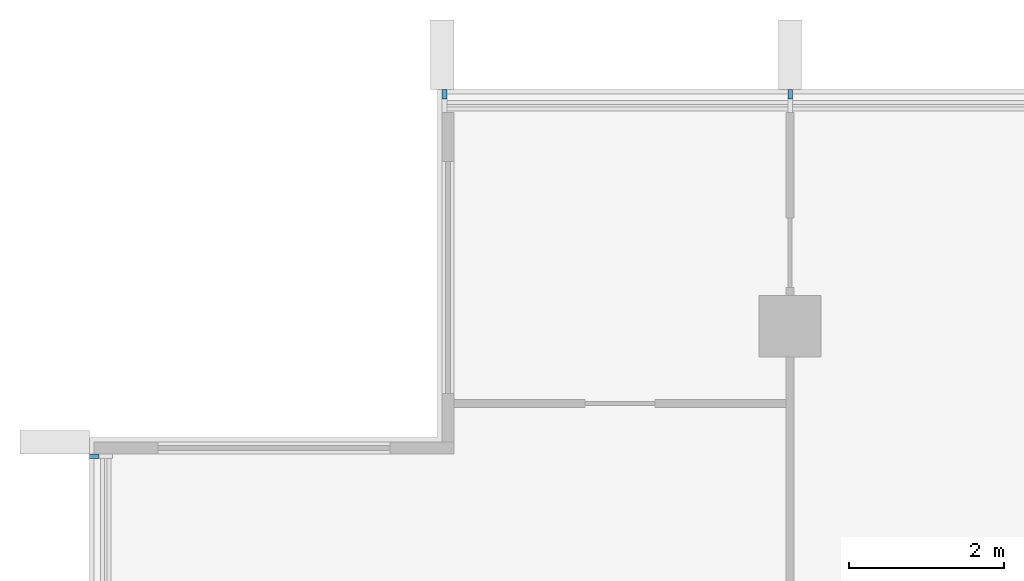
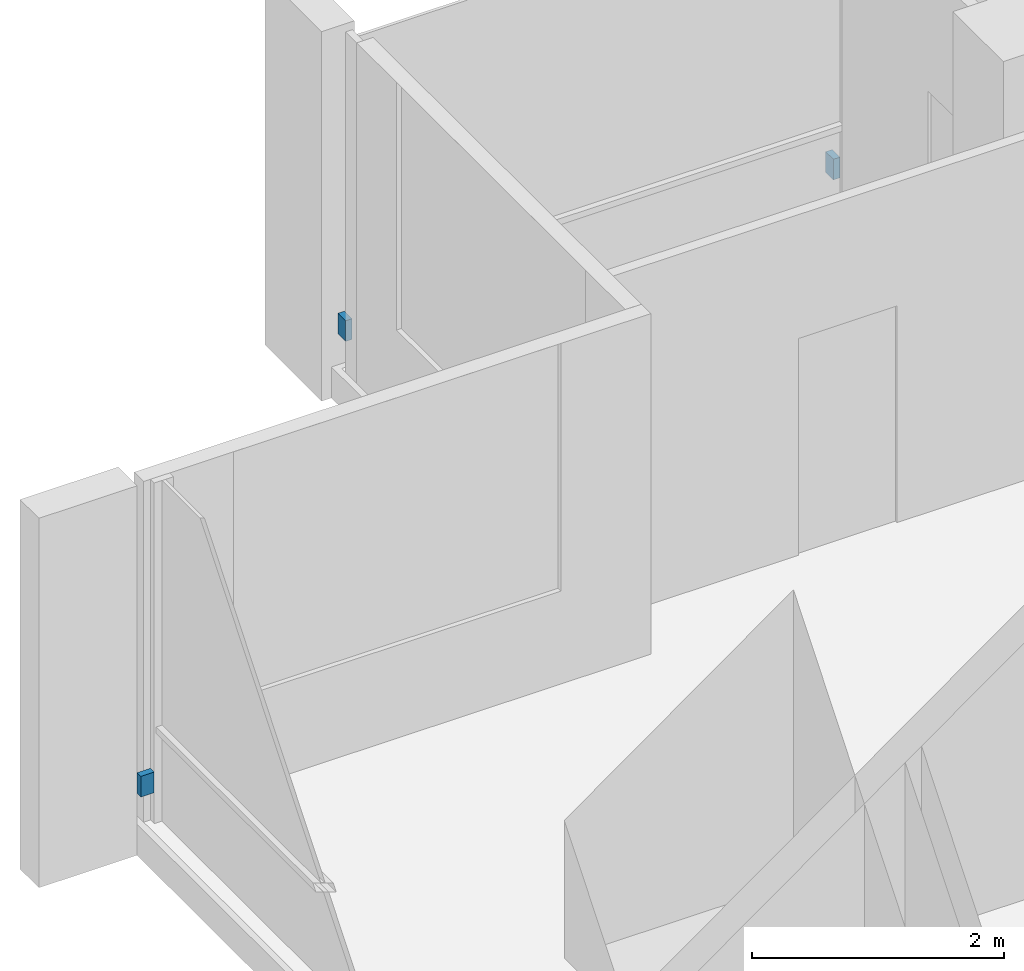
# One storey, part 14 of 16: 3 discrete accessories.
"""IFC4 building model written with IfcOpenShell, lengths in metres."""

import ifcopenshell
import ifcopenshell.guid

model = None  # the IFC model being written
_history = None  # IfcOwnerHistory: only IFC2X3 demands one
_inside = {}  # id of a spatial element -> (the spatial element, [elements in it])
_under = {}  # id of a project, library or spatial element -> (it, [spatial elements below it])
_declared = {}  # id of a project -> (the project, [libraries it declares])
_typed = {}  # id of a type object -> (the type object, [elements of that type])
_made_of = {}  # id of a material, layer set ... -> (it, [elements and type objects made of it])


def new_model(schema):
    """Start an empty IFC model of exactly this schema.

    Asked for "IFC4X3", IfcOpenShell would pick the latest addendum, in which some entities
    have other attributes; the version numbers below select the first issue.
    IFC2X3 requires an IfcOwnerHistory on every rooted entity: one is made here for all.
    """
    global model, _history
    if schema == "IFC4X3":
        model = ifcopenshell.file(schema_version=(4, 3, 0, 0))
    else:
        model = ifcopenshell.file(schema=schema)
    _inside.clear()
    _under.clear()
    _declared.clear()
    _typed.clear()
    _made_of.clear()
    _history = None
    if model.schema == "IFC2X3":
        org = make("IfcOrganization", Name="unknown")
        user = make(
            "IfcPersonAndOrganization",
            ThePerson=make("IfcPerson", FamilyName="unknown"),
            TheOrganization=org,
        )
        app = make(
            "IfcApplication",
            ApplicationDeveloper=org,
            Version="unknown",
            ApplicationFullName="unknown",
            ApplicationIdentifier="unknown",
        )
        _history = make(
            "IfcOwnerHistory",
            OwningUser=user,
            OwningApplication=app,
            ChangeAction="ADDED",
            CreationDate=0,
        )
    return model


def make(cls, **values):
    """One entity of the class cls with the attributes given. An attribute that is None is left unset."""
    return model.create_entity(
        cls, **{name: value for name, value in values.items() if value is not None}
    )


def rooted(cls, **values):
    """An entity with a GlobalId (a new one), such as an element, a storey or a relation."""
    return make(cls, GlobalId=ifcopenshell.guid.new(), OwnerHistory=_history, **values)


def si_unit(unit_type, name, prefix=None):
    """IfcSIUnit, for example si_unit("LENGTHUNIT", "METRE", prefix="MILLI")."""
    return make("IfcSIUnit", UnitType=unit_type, Prefix=prefix, Name=name)


def assignment(units):
    """IfcUnitAssignment: the units of a project."""
    return None if units is None else make("IfcUnitAssignment", Units=units)


def point(xyz):
    """IfcCartesianPoint."""
    return None if xyz is None else make("IfcCartesianPoint", Coordinates=xyz)


def direction(xyz):
    """IfcDirection."""
    return None if xyz is None else make("IfcDirection", DirectionRatios=xyz)


def frame(location, z_axis=None, x_axis=None):
    """IfcAxis2Placement3D, a coordinate frame: its origin and axes. An axis left out is left unset."""
    return make(
        "IfcAxis2Placement3D",
        Location=point(location),
        Axis=direction(z_axis),
        RefDirection=direction(x_axis),
    )


def frame_2d(location, x_axis=None):
    """IfcAxis2Placement2D, a coordinate frame in the plane: its origin and x axis."""
    return make(
        "IfcAxis2Placement2D", Location=point(location), RefDirection=direction(x_axis)
    )


def origin():
    """The frame at (0, 0, 0) with its axes left unset."""
    return frame((0.0, 0.0, 0.0))


def origin_2d():
    """The frame at (0, 0) in the plane with its x axis left unset."""
    return frame_2d((0.0, 0.0))


def place(relative_to, where):
    """IfcLocalPlacement: puts the frame where relative to a parent placement (None: the world)."""
    return make(
        "IfcLocalPlacement", PlacementRelTo=relative_to, RelativePlacement=where
    )


def context(
    kind, dimensions, precision=None, world=None, true_north=None, identifier=None
):
    """IfcGeometricRepresentationContext, for example the 3D "Model" context."""
    return make(
        "IfcGeometricRepresentationContext",
        ContextIdentifier=identifier,
        ContextType=kind,
        CoordinateSpaceDimension=dimensions,
        Precision=precision,
        WorldCoordinateSystem=world,
        TrueNorth=true_north,
    )


def subcontext(parent, identifier, kind, view, scale=None):
    """IfcGeometricRepresentationSubContext, for example "Body" below "Model"."""
    return make(
        "IfcGeometricRepresentationSubContext",
        ContextIdentifier=identifier,
        ContextType=kind,
        ParentContext=parent,
        TargetScale=scale,
        TargetView=view,
    )


def project(units=None, contexts=None):
    """IfcProject with its units and contexts."""
    return rooted(
        "IfcProject",
        Name="project",
        RepresentationContexts=contexts,
        UnitsInContext=assignment(units),
    )


def spatial(cls, under=None, at=None, **own):
    """A site, building, storey or space (cls), placed at a placement, below another one or the project."""
    s = rooted(cls, ObjectPlacement=at, **own)
    if under is not None:
        _under.setdefault(under.id(), (under, []))[1].append(s)
    return s


def profile(cls, at=None, kind="AREA", **sizes):
    """A parametric profile (cls). Its sizes go by their IFC names, for example OverallWidth=200.0."""
    return make(cls, ProfileType=kind, Position=at, **sizes)


def rectangle(**sizes):
    """IfcRectangleProfileDef."""
    return profile("IfcRectangleProfileDef", **sizes)


def extrude(swept, where, along, depth):
    """IfcExtrudedAreaSolid: the profile swept, set in the frame where, extruded along a direction by depth."""
    return make(
        "IfcExtrudedAreaSolid",
        SweptArea=swept,
        Position=where,
        ExtrudedDirection=direction(along),
        Depth=depth,
    )


def shape(context_of_items, identifier, shape_type, items):
    """IfcShapeRepresentation: the items that make up one representation, for example the "Body"."""
    return make(
        "IfcShapeRepresentation",
        ContextOfItems=context_of_items,
        RepresentationIdentifier=identifier,
        RepresentationType=shape_type,
        Items=items,
    )


def material(Name=None, Category=None):
    """IfcMaterial."""
    return make("IfcMaterial", Name=Name, Category=Category)


def made_of(thing, what):
    """Note that an element or type object is made of a material, layer set ...; save() writes the relation."""
    if what is not None:
        _made_of.setdefault(what.id(), (what, []))[1].append(thing)
    return thing


def type_object(cls, material=None, **own):
    """A type object (cls), such as IfcWallType, which elements share."""
    return made_of(rooted(cls, **own), material)


def element(
    cls,
    number,
    at=None,
    inside=None,
    cuts=None,
    type_object=None,
    material=None,
    context=None,
    identifier="Body",
    shape_type=None,
    held_by="IfcProductDefinitionShape",
    body=None,
    shapes=None,
    **own,
):
    """One element of the class cls, such as IfcWall. Its Tag is "e" and its number.

    at: its placement. inside: the storey or other place that contains it. cuts: it is an
    opening in that element (IfcRelVoidsElement). A single representation is given by context,
    identifier, shape_type and body (its items); several are given by shapes. held_by: the class
    of the entity that holds the representations. save() writes the other relations.
    """
    e = rooted(cls, Tag="e%d" % number, ObjectPlacement=at, **own)
    if body is not None:
        shapes = [shape(context, identifier, shape_type, body)]
    if shapes is not None:
        e.Representation = make(held_by, Representations=shapes)
    if inside is not None:
        _inside.setdefault(inside.id(), (inside, []))[1].append(e)
    if cuts is not None:
        rooted(
            "IfcRelVoidsElement", RelatingBuildingElement=cuts, RelatedOpeningElement=e
        )
    if type_object is not None:
        _typed.setdefault(type_object.id(), (type_object, []))[1].append(e)
    return made_of(e, material)


def aggregate(whole, parts):
    """IfcRelAggregates: a whole, such as a stair, and the parts it consists of."""
    return rooted("IfcRelAggregates", RelatingObject=whole, RelatedObjects=parts)


def save(model, path):
    """Write the relations noted so far, then the file.

    IfcRelAggregates (storeys below a building ...), IfcRelContainedInSpatialStructure (elements
    in a storey), IfcRelDefinesByType, IfcRelAssociatesMaterial and IfcRelDeclares: one each for
    every whole, place, type object, material and project.
    """
    for whole, parts in _under.values():
        aggregate(whole, parts)
    for where, things in _inside.values():
        rooted(
            "IfcRelContainedInSpatialStructure",
            RelatedElements=things,
            RelatingStructure=where,
        )
    for kind, things in _typed.values():
        rooted("IfcRelDefinesByType", RelatedObjects=things, RelatingType=kind)
    for what, things in _made_of.values():
        rooted("IfcRelAssociatesMaterial", RelatedObjects=things, RelatingMaterial=what)
    for by, libraries in _declared.values():
        rooted("IfcRelDeclares", RelatingContext=by, RelatedDefinitions=libraries)
    model.write(path)


model = new_model("IFC4")

# Units and contexts
model_context = context("Model", 3, precision=1e-05, world=origin(), true_north=direction((0.0, 1.0)))
body_context = subcontext(model_context, "Body", "Model", "MODEL_VIEW")
ifc_project = project(units=[si_unit("LENGTHUNIT", "METRE"), si_unit("AREAUNIT", "SQUARE_METRE"), si_unit("VOLUMEUNIT", "CUBIC_METRE"), si_unit("PLANEANGLEUNIT", "RADIAN"), si_unit("MASSUNIT", "GRAM", prefix="KILO")], contexts=[model_context])

# Site, building, storey
site_placement = place(None, origin())
site = spatial("IfcSite", under=ifc_project, at=site_placement, CompositionType="ELEMENT")
building_placement = place(site_placement, origin())
building = spatial("IfcBuilding", under=site, at=building_placement, Name="Finial Court Residences", CompositionType="ELEMENT")
storey_placement = place(building_placement, frame((0.0, 0.0, 230.300048828125)))
storey = spatial("IfcBuildingStorey", under=building, at=storey_placement, Name="L58", CompositionType="ELEMENT", Elevation=230.300048828125)

# Discrete accessories
ifc_material = material(Name="Stainless steel 316", Category="steel")
discrete_accessory_type = type_object("IfcDiscreteAccessoryType", Name="Fin bracket, stainless steel 60 x 122 x 200", PredefinedType="BRACKET", material=ifc_material)
for number, where, z_axis, x_axis, name in (
    (1, (-14.969970703125, 16.498779296875, 0.2998046875), (0.0, 0.0, 1.0), (1.0, 0.0, 0.0), "E-L58-FIN-N1-BRK"),
    (2, (-10.5, 16.498779296875, 0.2998046875), (0.0, 0.0, 1.0), (1.0, 0.0, 0.0), "E-L58-FIN-N2-BRK"),
):
    element("IfcDiscreteAccessory", number, at=place(storey_placement, frame(where, z_axis=z_axis, x_axis=x_axis)), inside=storey, type_object=discrete_accessory_type, Name=name, PredefinedType="BRACKET", context=body_context, shape_type="SweptSolid", body=[
        extrude(rectangle(XDim=0.06005859375, YDim=0.12255859375, at=origin_2d()), origin(), (0.0, 0.0, 1.0), 0.199951171875),
    ])
discrete_accessory_placement = place(storey_placement, frame((-19.498779296875, 11.820068359375, 0.2998046875), z_axis=(0.0, 0.0, 1.0), x_axis=(1.0, 0.0, 0.0)))
element("IfcDiscreteAccessory", 3, at=discrete_accessory_placement, inside=storey, type_object=discrete_accessory_type, Name="E-L58-FIN-W26-BRK", PredefinedType="BRACKET", context=body_context, shape_type="SweptSolid", body=[
    extrude(rectangle(XDim=0.12255859375, YDim=0.06005859375, at=origin_2d()), origin(), (0.0, 0.0, 1.0), 0.199951171875),
])

save(model, "model.ifc")
